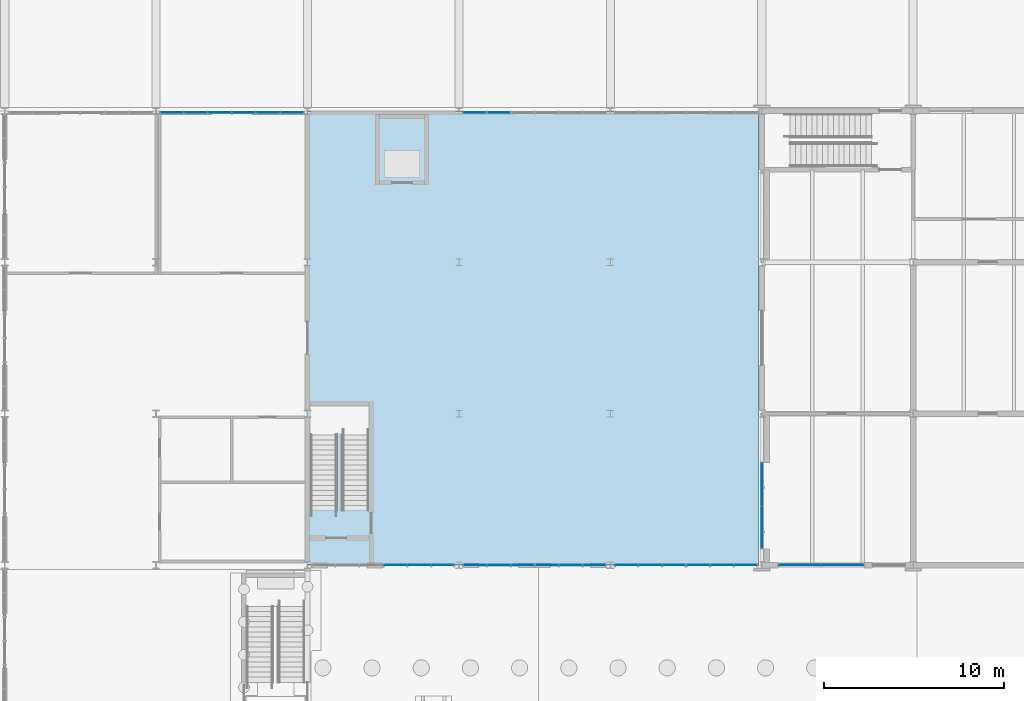
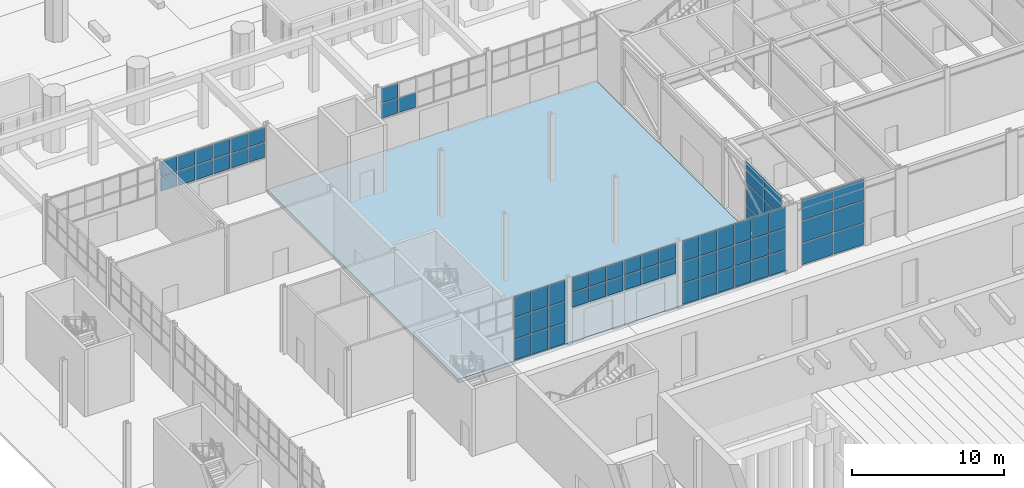
# One storey, part 51 of 127: 66 plates, 1 slab, 9 elements without a shape of their own.
"""IFC4 building model written with IfcOpenShell, lengths in metres."""

from ifc_helpers import new_model, si_unit, direction, frame, origin, origin_2d, place, context, subcontext, project, spatial, polyline, rectangle, outline, extrude, material, layer, layer_set, type_object, element, aggregate, save


model = new_model("IFC4")

# Units and contexts
model_context = context("Model", 3, precision=1e-05, world=origin(), true_north=direction((0.0, 1.0)))
body_context = subcontext(model_context, "Body", "Model", "MODEL_VIEW")
ifc_project = project(units=[si_unit("LENGTHUNIT", "METRE"), si_unit("AREAUNIT", "SQUARE_METRE"), si_unit("VOLUMEUNIT", "CUBIC_METRE"), si_unit("PLANEANGLEUNIT", "RADIAN"), si_unit("MASSUNIT", "GRAM", prefix="KILO")], contexts=[model_context])

# Site, building, storey
site_placement = place(None, origin())
site = spatial("IfcSite", under=ifc_project, at=site_placement, CompositionType="ELEMENT")
building_placement = place(site_placement, origin())
building = spatial("IfcBuilding", under=site, at=building_placement, Name="Ljudholm Concert House", CompositionType="ELEMENT")
storey_placement = place(building_placement, origin())
storey = spatial("IfcBuildingStorey", under=building, at=storey_placement, Name="L00", CompositionType="ELEMENT", Elevation=0.0)

# Curtain wall, plates
ifc_material_1 = material(Name="Aluminium curtain wall with impact-rated laminated glass", Category="aluminium")
curtain_wall_type_1 = type_object("IfcCurtainWallType", Name="CURTAIN WALL 2400", PredefinedType="NOTDEFINED", material=ifc_material_1)
curtain_wall_1_placement = place(storey_placement, origin())
curtain_wall_1 = element("IfcCurtainWall", 1, at=curtain_wall_1_placement, inside=storey, type_object=curtain_wall_type_1, Name="Curtain wall", PredefinedType="NOTDEFINED")
ifc_material_2 = material(Name="Impact-rated laminated glass", Category="glass")
ifc_layer_1 = layer(ifc_material_2, 0.028076171875)
ifc_layer_set_1 = layer_set([ifc_layer_1], Name="Impact-rated laminated glass")
plate_type = type_object("IfcPlateType", Name="CURTAIN PANEL 28", PredefinedType="CURTAIN_PANEL", material=ifc_layer_set_1)
plate_1_placement = place(storey_placement, frame((54.39990234375, 106.9150390625, 0.06005859375), z_axis=(0.0, 0.0, 1.0), x_axis=(0.0, 1.0, 0.0)))
plate_1 = element("IfcPlate", 2, at=plate_1_placement, type_object=plate_type, Name="Curtain wall panel", PredefinedType="CURTAIN_PANEL", context=body_context, shape_type="SweptSolid", body=[
    extrude(rectangle(XDim=2.31005859375, YDim=0.028076171875, at=origin_2d()), origin(), (0.0, 0.0, 1.0), 1.7099609375),
])
plate_2_placement = place(storey_placement, frame((54.39990234375, 106.9150390625, 1.830078125), z_axis=(0.0, 0.0, 1.0), x_axis=(0.0, 1.0, 0.0)))
plate_2 = element("IfcPlate", 3, at=plate_2_placement, type_object=plate_type, Name="Curtain wall panel", PredefinedType="CURTAIN_PANEL", context=body_context, shape_type="SweptSolid", body=[
    extrude(rectangle(XDim=2.31005859375, YDim=0.028076171875, at=origin_2d()), origin(), (0.0, 0.0, 1.0), 1.739990234375),
])
plate_3_placement = place(storey_placement, frame((54.39990234375, 106.9150390625, 3.630126953125), z_axis=(0.0, 0.0, 1.0), x_axis=(0.0, 1.0, 0.0)))
plate_3 = element("IfcPlate", 4, at=plate_3_placement, type_object=plate_type, Name="Curtain wall panel", PredefinedType="CURTAIN_PANEL", context=body_context, shape_type="SweptSolid", body=[
    extrude(rectangle(XDim=2.31005859375, YDim=0.028076171875, at=origin_2d()), origin(), (0.0, 0.0, 1.0), 1.7099609375),
])
plate_4_placement = place(storey_placement, frame((54.39990234375, 109.284912109375, 0.06005859375), z_axis=(0.0, 0.0, 1.0), x_axis=(0.0, 1.0, 0.0)))
plate_4 = element("IfcPlate", 5, at=plate_4_placement, type_object=plate_type, Name="Curtain wall panel", PredefinedType="CURTAIN_PANEL", context=body_context, shape_type="SweptSolid", body=[
    extrude(rectangle(XDim=2.31005859375, YDim=0.028076171875, at=origin_2d()), origin(), (0.0, 0.0, 1.0), 1.7099609375),
])
plate_5_placement = place(storey_placement, frame((54.39990234375, 109.284912109375, 1.830078125), z_axis=(0.0, 0.0, 1.0), x_axis=(0.0, 1.0, 0.0)))
plate_5 = element("IfcPlate", 6, at=plate_5_placement, type_object=plate_type, Name="Curtain wall panel", PredefinedType="CURTAIN_PANEL", context=body_context, shape_type="SweptSolid", body=[
    extrude(rectangle(XDim=2.31005859375, YDim=0.028076171875, at=origin_2d()), origin(), (0.0, 0.0, 1.0), 1.739990234375),
])
plate_6_placement = place(storey_placement, frame((54.39990234375, 109.284912109375, 3.630126953125), z_axis=(0.0, 0.0, 1.0), x_axis=(0.0, 1.0, 0.0)))
plate_6 = element("IfcPlate", 7, at=plate_6_placement, type_object=plate_type, Name="Curtain wall panel", PredefinedType="CURTAIN_PANEL", context=body_context, shape_type="SweptSolid", body=[
    extrude(rectangle(XDim=2.31005859375, YDim=0.028076171875, at=origin_2d()), origin(), (0.0, 0.0, 1.0), 1.7099609375),
])
aggregate(curtain_wall_1, [plate_1, plate_2, plate_3, plate_4, plate_5, plate_6])

curtain_wall_2_placement = place(storey_placement, origin())
curtain_wall_2 = element("IfcCurtainWall", 8, at=curtain_wall_2_placement, inside=storey, type_object=curtain_wall_type_1, Name="Curtain wall", PredefinedType="NOTDEFINED")
plate_7_placement = place(storey_placement, frame((56.514892578125, 104.800048828125, 0.06005859375), z_axis=(0.0, 0.0, 1.0), x_axis=(1.0, 0.0, 0.0)))
plate_7 = element("IfcPlate", 9, at=plate_7_placement, type_object=plate_type, Name="Curtain wall panel", PredefinedType="CURTAIN_PANEL", context=body_context, shape_type="SweptSolid", body=[
    extrude(rectangle(XDim=2.31005859375, YDim=0.028076171875, at=origin_2d()), origin(), (0.0, 0.0, 1.0), 1.7099609375),
])
plate_8_placement = place(storey_placement, frame((56.514892578125, 104.800048828125, 1.830078125), z_axis=(0.0, 0.0, 1.0), x_axis=(1.0, 0.0, 0.0)))
plate_8 = element("IfcPlate", 10, at=plate_8_placement, type_object=plate_type, Name="Curtain wall panel", PredefinedType="CURTAIN_PANEL", context=body_context, shape_type="SweptSolid", body=[
    extrude(rectangle(XDim=2.31005859375, YDim=0.028076171875, at=origin_2d()), origin(), (0.0, 0.0, 1.0), 1.739990234375),
])
plate_9_placement = place(storey_placement, frame((56.514892578125, 104.800048828125, 3.630126953125), z_axis=(0.0, 0.0, 1.0), x_axis=(1.0, 0.0, 0.0)))
plate_9 = element("IfcPlate", 11, at=plate_9_placement, type_object=plate_type, Name="Curtain wall panel", PredefinedType="CURTAIN_PANEL", context=body_context, shape_type="SweptSolid", body=[
    extrude(rectangle(XDim=2.31005859375, YDim=0.028076171875, at=origin_2d()), origin(), (0.0, 0.0, 1.0), 1.7099609375),
])
plate_10_placement = place(storey_placement, frame((58.885009765625, 104.800048828125, 0.06005859375), z_axis=(0.0, 0.0, 1.0), x_axis=(1.0, 0.0, 0.0)))
plate_10 = element("IfcPlate", 12, at=plate_10_placement, type_object=plate_type, Name="Curtain wall panel", PredefinedType="CURTAIN_PANEL", context=body_context, shape_type="SweptSolid", body=[
    extrude(rectangle(XDim=2.31005859375, YDim=0.028076171875, at=origin_2d()), origin(), (0.0, 0.0, 1.0), 1.7099609375),
])
plate_11_placement = place(storey_placement, frame((58.885009765625, 104.800048828125, 1.830078125), z_axis=(0.0, 0.0, 1.0), x_axis=(1.0, 0.0, 0.0)))
plate_11 = element("IfcPlate", 13, at=plate_11_placement, type_object=plate_type, Name="Curtain wall panel", PredefinedType="CURTAIN_PANEL", context=body_context, shape_type="SweptSolid", body=[
    extrude(rectangle(XDim=2.31005859375, YDim=0.028076171875, at=origin_2d()), origin(), (0.0, 0.0, 1.0), 1.739990234375),
])
plate_12_placement = place(storey_placement, frame((58.885009765625, 104.800048828125, 3.630126953125), z_axis=(0.0, 0.0, 1.0), x_axis=(1.0, 0.0, 0.0)))
plate_12 = element("IfcPlate", 14, at=plate_12_placement, type_object=plate_type, Name="Curtain wall panel", PredefinedType="CURTAIN_PANEL", context=body_context, shape_type="SweptSolid", body=[
    extrude(rectangle(XDim=2.31005859375, YDim=0.028076171875, at=origin_2d()), origin(), (0.0, 0.0, 1.0), 1.7099609375),
])
aggregate(curtain_wall_2, [plate_7, plate_8, plate_9, plate_10, plate_11, plate_12])

ifc_material_3 = material(Name="Aluminium curtain wall with impact-rated laminated glass", Category="aluminium")
curtain_wall_type_2 = type_object("IfcCurtainWallType", Name="CURTAIN WALL 1400", PredefinedType="NOTDEFINED", material=ifc_material_3)
curtain_wall_3_placement = place(storey_placement, origin())
curtain_wall_3 = element("IfcCurtainWall", 15, at=curtain_wall_3_placement, inside=storey, type_object=curtain_wall_type_2, Name="North curtain wall", PredefinedType="NOTDEFINED")
plate_13_placement = place(storey_placement, frame((21.670654296875, 129.89990234375, 2.760009765625), z_axis=(0.0, 0.0, 1.0), x_axis=(1.0, 0.0, 0.0)))
plate_13 = element("IfcPlate", 16, at=plate_13_placement, type_object=plate_type, Name="Curtain wall panel", PredefinedType="CURTAIN_PANEL", context=body_context, shape_type="SweptSolid", body=[
    extrude(rectangle(XDim=1.247802734375, YDim=0.028076171875, at=origin_2d()), origin(), (0.0, 0.0, 1.0), 1.169921875),
])
plate_14_placement = place(storey_placement, frame((21.670654296875, 129.89990234375, 3.989990234375), z_axis=(0.0, 0.0, 1.0), x_axis=(1.0, 0.0, 0.0)))
plate_14 = element("IfcPlate", 17, at=plate_14_placement, type_object=plate_type, Name="Curtain wall panel", PredefinedType="CURTAIN_PANEL", context=body_context, shape_type="SweptSolid", body=[
    extrude(rectangle(XDim=1.247802734375, YDim=0.028076171875, at=origin_2d()), origin(), (0.0, 0.0, 1.0), 1.169921875),
])
plate_15_placement = place(storey_placement, frame((22.993408203125, 129.89990234375, 2.760009765625), z_axis=(0.0, 0.0, 1.0), x_axis=(1.0, 0.0, 0.0)))
plate_15 = element("IfcPlate", 18, at=plate_15_placement, type_object=plate_type, Name="Curtain wall panel", PredefinedType="CURTAIN_PANEL", context=body_context, shape_type="SweptSolid", body=[
    extrude(rectangle(XDim=1.27783203125, YDim=0.028076171875, at=origin_2d()), origin(), (0.0, 0.0, 1.0), 1.169921875),
])
plate_16_placement = place(storey_placement, frame((22.993408203125, 129.89990234375, 3.989990234375), z_axis=(0.0, 0.0, 1.0), x_axis=(1.0, 0.0, 0.0)))
plate_16 = element("IfcPlate", 19, at=plate_16_placement, type_object=plate_type, Name="Curtain wall panel", PredefinedType="CURTAIN_PANEL", context=body_context, shape_type="SweptSolid", body=[
    extrude(rectangle(XDim=1.27783203125, YDim=0.028076171875, at=origin_2d()), origin(), (0.0, 0.0, 1.0), 1.169921875),
])
plate_17_placement = place(storey_placement, frame((24.3310546875, 129.89990234375, 2.760009765625), z_axis=(0.0, 0.0, 1.0), x_axis=(1.0, 0.0, 0.0)))
plate_17 = element("IfcPlate", 20, at=plate_17_placement, type_object=plate_type, Name="Curtain wall panel", PredefinedType="CURTAIN_PANEL", context=body_context, shape_type="SweptSolid", body=[
    extrude(rectangle(XDim=1.27783203125, YDim=0.028076171875, at=origin_2d()), origin(), (0.0, 0.0, 1.0), 1.169921875),
])
plate_18_placement = place(storey_placement, frame((24.3310546875, 129.89990234375, 3.989990234375), z_axis=(0.0, 0.0, 1.0), x_axis=(1.0, 0.0, 0.0)))
plate_18 = element("IfcPlate", 21, at=plate_18_placement, type_object=plate_type, Name="Curtain wall panel", PredefinedType="CURTAIN_PANEL", context=body_context, shape_type="SweptSolid", body=[
    extrude(rectangle(XDim=1.27783203125, YDim=0.028076171875, at=origin_2d()), origin(), (0.0, 0.0, 1.0), 1.169921875),
])
plate_19_placement = place(storey_placement, frame((25.6689453125, 129.89990234375, 2.760009765625), z_axis=(0.0, 0.0, 1.0), x_axis=(1.0, 0.0, 0.0)))
plate_19 = element("IfcPlate", 22, at=plate_19_placement, type_object=plate_type, Name="Curtain wall panel", PredefinedType="CURTAIN_PANEL", context=body_context, shape_type="SweptSolid", body=[
    extrude(rectangle(XDim=1.27783203125, YDim=0.028076171875, at=origin_2d()), origin(), (0.0, 0.0, 1.0), 1.169921875),
])
plate_20_placement = place(storey_placement, frame((25.6689453125, 129.89990234375, 3.989990234375), z_axis=(0.0, 0.0, 1.0), x_axis=(1.0, 0.0, 0.0)))
plate_20 = element("IfcPlate", 23, at=plate_20_placement, type_object=plate_type, Name="Curtain wall panel", PredefinedType="CURTAIN_PANEL", context=body_context, shape_type="SweptSolid", body=[
    extrude(rectangle(XDim=1.27783203125, YDim=0.028076171875, at=origin_2d()), origin(), (0.0, 0.0, 1.0), 1.169921875),
])
plate_21_placement = place(storey_placement, frame((27.006591796875, 129.89990234375, 2.760009765625), z_axis=(0.0, 0.0, 1.0), x_axis=(1.0, 0.0, 0.0)))
plate_21 = element("IfcPlate", 24, at=plate_21_placement, type_object=plate_type, Name="Curtain wall panel", PredefinedType="CURTAIN_PANEL", context=body_context, shape_type="SweptSolid", body=[
    extrude(rectangle(XDim=1.27783203125, YDim=0.028076171875, at=origin_2d()), origin(), (0.0, 0.0, 1.0), 1.169921875),
])
plate_22_placement = place(storey_placement, frame((27.006591796875, 129.89990234375, 3.989990234375), z_axis=(0.0, 0.0, 1.0), x_axis=(1.0, 0.0, 0.0)))
plate_22 = element("IfcPlate", 25, at=plate_22_placement, type_object=plate_type, Name="Curtain wall panel", PredefinedType="CURTAIN_PANEL", context=body_context, shape_type="SweptSolid", body=[
    extrude(rectangle(XDim=1.27783203125, YDim=0.028076171875, at=origin_2d()), origin(), (0.0, 0.0, 1.0), 1.169921875),
])
plate_23_placement = place(storey_placement, frame((28.329345703125, 129.89990234375, 2.760009765625), z_axis=(0.0, 0.0, 1.0), x_axis=(1.0, 0.0, 0.0)))
plate_23 = element("IfcPlate", 26, at=plate_23_placement, type_object=plate_type, Name="Curtain wall panel", PredefinedType="CURTAIN_PANEL", context=body_context, shape_type="SweptSolid", body=[
    extrude(rectangle(XDim=1.247802734375, YDim=0.028076171875, at=origin_2d()), origin(), (0.0, 0.0, 1.0), 1.169921875),
])
plate_24_placement = place(storey_placement, frame((28.329345703125, 129.89990234375, 3.989990234375), z_axis=(0.0, 0.0, 1.0), x_axis=(1.0, 0.0, 0.0)))
plate_24 = element("IfcPlate", 27, at=plate_24_placement, type_object=plate_type, Name="Curtain wall panel", PredefinedType="CURTAIN_PANEL", context=body_context, shape_type="SweptSolid", body=[
    extrude(rectangle(XDim=1.247802734375, YDim=0.028076171875, at=origin_2d()), origin(), (0.0, 0.0, 1.0), 1.169921875),
])
aggregate(curtain_wall_3, [plate_13, plate_14, plate_15, plate_16, plate_17, plate_18, plate_19, plate_20, plate_21, plate_22, plate_23, plate_24])

curtain_wall_4_placement = place(storey_placement, origin())
curtain_wall_4 = element("IfcCurtainWall", 28, at=curtain_wall_4_placement, inside=storey, type_object=curtain_wall_type_2, Name="North curtain wall", PredefinedType="NOTDEFINED")
plate_25_placement = place(storey_placement, frame((38.473388671875, 129.89990234375, 2.760009765625), z_axis=(0.0, 0.0, 1.0), x_axis=(1.0, 0.0, 0.0)))
plate_25 = element("IfcPlate", 29, at=plate_25_placement, type_object=plate_type, Name="Curtain wall panel", PredefinedType="CURTAIN_PANEL", context=body_context, shape_type="SweptSolid", body=[
    extrude(rectangle(XDim=1.24658203125, YDim=0.028076171875, at=origin_2d()), origin(), (0.0, 0.0, 1.0), 1.169921875),
])
plate_26_placement = place(storey_placement, frame((38.473388671875, 129.89990234375, 3.989990234375), z_axis=(0.0, 0.0, 1.0), x_axis=(1.0, 0.0, 0.0)))
plate_26 = element("IfcPlate", 30, at=plate_26_placement, type_object=plate_type, Name="Curtain wall panel", PredefinedType="CURTAIN_PANEL", context=body_context, shape_type="SweptSolid", body=[
    extrude(rectangle(XDim=1.24658203125, YDim=0.028076171875, at=origin_2d()), origin(), (0.0, 0.0, 1.0), 1.169921875),
])
plate_27_placement = place(storey_placement, frame((39.794921875, 129.89990234375, 2.760009765625), z_axis=(0.0, 0.0, 1.0), x_axis=(1.0, 0.0, 0.0)))
plate_27 = element("IfcPlate", 31, at=plate_27_placement, type_object=plate_type, Name="Curtain wall panel", PredefinedType="CURTAIN_PANEL", context=body_context, shape_type="SweptSolid", body=[
    extrude(rectangle(XDim=1.276611328125, YDim=0.028076171875, at=origin_2d()), origin(), (0.0, 0.0, 1.0), 1.169921875),
])
aggregate(curtain_wall_4, [plate_25, plate_26, plate_27])

curtain_wall_5_placement = place(storey_placement, origin())
curtain_wall_5 = element("IfcCurtainWall", 32, at=curtain_wall_5_placement, inside=storey, type_object=curtain_wall_type_2, Name="Winter garden curtain wall", PredefinedType="NOTDEFINED")
plate_28_placement = place(storey_placement, frame((34.078369140625, 104.800048828125, 0.06005859375), z_axis=(0.0, 0.0, 1.0), x_axis=(1.0, 0.0, 0.0)))
plate_28 = element("IfcPlate", 33, at=plate_28_placement, type_object=plate_type, Name="Curtain wall panel", PredefinedType="CURTAIN_PANEL", context=body_context, shape_type="SweptSolid", body=[
    extrude(rectangle(XDim=1.236572265625, YDim=0.028076171875, at=origin_2d()), origin(), (0.0, 0.0, 1.0), 1.64990234375),
])
plate_29_placement = place(storey_placement, frame((34.078369140625, 104.800048828125, 1.77001953125), z_axis=(0.0, 0.0, 1.0), x_axis=(1.0, 0.0, 0.0)))
plate_29 = element("IfcPlate", 34, at=plate_29_placement, type_object=plate_type, Name="Curtain wall panel", PredefinedType="CURTAIN_PANEL", context=body_context, shape_type="SweptSolid", body=[
    extrude(rectangle(XDim=1.236572265625, YDim=0.028076171875, at=origin_2d()), origin(), (0.0, 0.0, 1.0), 1.679931640625),
])
plate_30_placement = place(storey_placement, frame((34.078369140625, 104.800048828125, 3.510009765625), z_axis=(0.0, 0.0, 1.0), x_axis=(1.0, 0.0, 0.0)))
plate_30 = element("IfcPlate", 35, at=plate_30_placement, type_object=plate_type, Name="Curtain wall panel", PredefinedType="CURTAIN_PANEL", context=body_context, shape_type="SweptSolid", body=[
    extrude(rectangle(XDim=1.236572265625, YDim=0.028076171875, at=origin_2d()), origin(), (0.0, 0.0, 1.0), 1.64990234375),
])
plate_31_placement = place(storey_placement, frame((35.389892578125, 104.800048828125, 0.06005859375), z_axis=(0.0, 0.0, 1.0), x_axis=(1.0, 0.0, 0.0)))
plate_31 = element("IfcPlate", 36, at=plate_31_placement, type_object=plate_type, Name="Curtain wall panel", PredefinedType="CURTAIN_PANEL", context=body_context, shape_type="SweptSolid", body=[
    extrude(rectangle(XDim=1.2666015625, YDim=0.028076171875, at=origin_2d()), origin(), (0.0, 0.0, 1.0), 1.64990234375),
])
plate_32_placement = place(storey_placement, frame((35.389892578125, 104.800048828125, 1.77001953125), z_axis=(0.0, 0.0, 1.0), x_axis=(1.0, 0.0, 0.0)))
plate_32 = element("IfcPlate", 37, at=plate_32_placement, type_object=plate_type, Name="Curtain wall panel", PredefinedType="CURTAIN_PANEL", context=body_context, shape_type="SweptSolid", body=[
    extrude(rectangle(XDim=1.2666015625, YDim=0.028076171875, at=origin_2d()), origin(), (0.0, 0.0, 1.0), 1.679931640625),
])
plate_33_placement = place(storey_placement, frame((35.389892578125, 104.800048828125, 3.510009765625), z_axis=(0.0, 0.0, 1.0), x_axis=(1.0, 0.0, 0.0)))
plate_33 = element("IfcPlate", 38, at=plate_33_placement, type_object=plate_type, Name="Curtain wall panel", PredefinedType="CURTAIN_PANEL", context=body_context, shape_type="SweptSolid", body=[
    extrude(rectangle(XDim=1.2666015625, YDim=0.028076171875, at=origin_2d()), origin(), (0.0, 0.0, 1.0), 1.64990234375),
])
plate_34_placement = place(storey_placement, frame((36.70166015625, 104.800048828125, 0.06005859375), z_axis=(0.0, 0.0, 1.0), x_axis=(1.0, 0.0, 0.0)))
plate_34 = element("IfcPlate", 39, at=plate_34_placement, type_object=plate_type, Name="Curtain wall panel", PredefinedType="CURTAIN_PANEL", context=body_context, shape_type="SweptSolid", body=[
    extrude(rectangle(XDim=1.236572265625, YDim=0.028076171875, at=origin_2d()), origin(), (0.0, 0.0, 1.0), 1.64990234375),
])
plate_35_placement = place(storey_placement, frame((36.70166015625, 104.800048828125, 1.77001953125), z_axis=(0.0, 0.0, 1.0), x_axis=(1.0, 0.0, 0.0)))
plate_35 = element("IfcPlate", 40, at=plate_35_placement, type_object=plate_type, Name="Curtain wall panel", PredefinedType="CURTAIN_PANEL", context=body_context, shape_type="SweptSolid", body=[
    extrude(rectangle(XDim=1.236572265625, YDim=0.028076171875, at=origin_2d()), origin(), (0.0, 0.0, 1.0), 1.679931640625),
])
plate_36_placement = place(storey_placement, frame((36.70166015625, 104.800048828125, 3.510009765625), z_axis=(0.0, 0.0, 1.0), x_axis=(1.0, 0.0, 0.0)))
plate_36 = element("IfcPlate", 41, at=plate_36_placement, type_object=plate_type, Name="Curtain wall panel", PredefinedType="CURTAIN_PANEL", context=body_context, shape_type="SweptSolid", body=[
    extrude(rectangle(XDim=1.236572265625, YDim=0.028076171875, at=origin_2d()), origin(), (0.0, 0.0, 1.0), 1.64990234375),
])
aggregate(curtain_wall_5, [plate_28, plate_29, plate_30, plate_31, plate_32, plate_33, plate_34, plate_35, plate_36])

curtain_wall_6_placement = place(storey_placement, origin())
curtain_wall_6 = element("IfcCurtainWall", 42, at=curtain_wall_6_placement, inside=storey, type_object=curtain_wall_type_2, Name="Winter garden curtain wall", PredefinedType="NOTDEFINED")
plate_37_placement = place(storey_placement, frame((38.498291015625, 104.800048828125, 2.760009765625), z_axis=(0.0, 0.0, 1.0), x_axis=(1.0, 0.0, 0.0)))
plate_37 = element("IfcPlate", 43, at=plate_37_placement, type_object=plate_type, Name="Curtain wall panel", PredefinedType="CURTAIN_PANEL", context=body_context, shape_type="SweptSolid", body=[
    extrude(rectangle(XDim=1.236572265625, YDim=0.028076171875, at=origin_2d()), origin(), (0.0, 0.0, 1.0), 1.169921875),
])
plate_38_placement = place(storey_placement, frame((38.498291015625, 104.800048828125, 3.989990234375), z_axis=(0.0, 0.0, 1.0), x_axis=(1.0, 0.0, 0.0)))
plate_38 = element("IfcPlate", 44, at=plate_38_placement, type_object=plate_type, Name="Curtain wall panel", PredefinedType="CURTAIN_PANEL", context=body_context, shape_type="SweptSolid", body=[
    extrude(rectangle(XDim=1.236572265625, YDim=0.028076171875, at=origin_2d()), origin(), (0.0, 0.0, 1.0), 1.169921875),
])
plate_39_placement = place(storey_placement, frame((39.81005859375, 104.800048828125, 2.760009765625), z_axis=(0.0, 0.0, 1.0), x_axis=(1.0, 0.0, 0.0)))
plate_39 = element("IfcPlate", 45, at=plate_39_placement, type_object=plate_type, Name="Curtain wall panel", PredefinedType="CURTAIN_PANEL", context=body_context, shape_type="SweptSolid", body=[
    extrude(rectangle(XDim=1.2666015625, YDim=0.028076171875, at=origin_2d()), origin(), (0.0, 0.0, 1.0), 1.169921875),
])
plate_40_placement = place(storey_placement, frame((39.81005859375, 104.800048828125, 3.989990234375), z_axis=(0.0, 0.0, 1.0), x_axis=(1.0, 0.0, 0.0)))
plate_40 = element("IfcPlate", 46, at=plate_40_placement, type_object=plate_type, Name="Curtain wall panel", PredefinedType="CURTAIN_PANEL", context=body_context, shape_type="SweptSolid", body=[
    extrude(rectangle(XDim=1.2666015625, YDim=0.028076171875, at=origin_2d()), origin(), (0.0, 0.0, 1.0), 1.169921875),
])
plate_41_placement = place(storey_placement, frame((41.12158203125, 104.800048828125, 2.760009765625), z_axis=(0.0, 0.0, 1.0), x_axis=(1.0, 0.0, 0.0)))
plate_41 = element("IfcPlate", 47, at=plate_41_placement, type_object=plate_type, Name="Curtain wall panel", PredefinedType="CURTAIN_PANEL", context=body_context, shape_type="SweptSolid", body=[
    extrude(rectangle(XDim=1.236572265625, YDim=0.028076171875, at=origin_2d()), origin(), (0.0, 0.0, 1.0), 1.169921875),
])
plate_42_placement = place(storey_placement, frame((41.12158203125, 104.800048828125, 3.989990234375), z_axis=(0.0, 0.0, 1.0), x_axis=(1.0, 0.0, 0.0)))
plate_42 = element("IfcPlate", 48, at=plate_42_placement, type_object=plate_type, Name="Curtain wall panel", PredefinedType="CURTAIN_PANEL", context=body_context, shape_type="SweptSolid", body=[
    extrude(rectangle(XDim=1.236572265625, YDim=0.028076171875, at=origin_2d()), origin(), (0.0, 0.0, 1.0), 1.169921875),
])
aggregate(curtain_wall_6, [plate_37, plate_38, plate_39, plate_40, plate_41, plate_42])

curtain_wall_7_placement = place(storey_placement, origin())
curtain_wall_7 = element("IfcCurtainWall", 49, at=curtain_wall_7_placement, inside=storey, type_object=curtain_wall_type_2, Name="Winter garden curtain wall", PredefinedType="NOTDEFINED")
plate_43_placement = place(storey_placement, frame((42.478271484375, 104.800048828125, 2.760009765625), z_axis=(0.0, 0.0, 1.0), x_axis=(1.0, 0.0, 0.0)))
plate_43 = element("IfcPlate", 50, at=plate_43_placement, type_object=plate_type, Name="Curtain wall panel", PredefinedType="CURTAIN_PANEL", context=body_context, shape_type="SweptSolid", body=[
    extrude(rectangle(XDim=1.236572265625, YDim=0.028076171875, at=origin_2d()), origin(), (0.0, 0.0, 1.0), 1.169921875),
])
plate_44_placement = place(storey_placement, frame((42.478271484375, 104.800048828125, 3.989990234375), z_axis=(0.0, 0.0, 1.0), x_axis=(1.0, 0.0, 0.0)))
plate_44 = element("IfcPlate", 51, at=plate_44_placement, type_object=plate_type, Name="Curtain wall panel", PredefinedType="CURTAIN_PANEL", context=body_context, shape_type="SweptSolid", body=[
    extrude(rectangle(XDim=1.236572265625, YDim=0.028076171875, at=origin_2d()), origin(), (0.0, 0.0, 1.0), 1.169921875),
])
plate_45_placement = place(storey_placement, frame((43.7900390625, 104.800048828125, 2.760009765625), z_axis=(0.0, 0.0, 1.0), x_axis=(1.0, 0.0, 0.0)))
plate_45 = element("IfcPlate", 52, at=plate_45_placement, type_object=plate_type, Name="Curtain wall panel", PredefinedType="CURTAIN_PANEL", context=body_context, shape_type="SweptSolid", body=[
    extrude(rectangle(XDim=1.2666015625, YDim=0.028076171875, at=origin_2d()), origin(), (0.0, 0.0, 1.0), 1.169921875),
])
plate_46_placement = place(storey_placement, frame((43.7900390625, 104.800048828125, 3.989990234375), z_axis=(0.0, 0.0, 1.0), x_axis=(1.0, 0.0, 0.0)))
plate_46 = element("IfcPlate", 53, at=plate_46_placement, type_object=plate_type, Name="Curtain wall panel", PredefinedType="CURTAIN_PANEL", context=body_context, shape_type="SweptSolid", body=[
    extrude(rectangle(XDim=1.2666015625, YDim=0.028076171875, at=origin_2d()), origin(), (0.0, 0.0, 1.0), 1.169921875),
])
plate_47_placement = place(storey_placement, frame((45.1015625, 104.800048828125, 2.760009765625), z_axis=(0.0, 0.0, 1.0), x_axis=(1.0, 0.0, 0.0)))
plate_47 = element("IfcPlate", 54, at=plate_47_placement, type_object=plate_type, Name="Curtain wall panel", PredefinedType="CURTAIN_PANEL", context=body_context, shape_type="SweptSolid", body=[
    extrude(rectangle(XDim=1.236572265625, YDim=0.028076171875, at=origin_2d()), origin(), (0.0, 0.0, 1.0), 1.169921875),
])
plate_48_placement = place(storey_placement, frame((45.1015625, 104.800048828125, 3.989990234375), z_axis=(0.0, 0.0, 1.0), x_axis=(1.0, 0.0, 0.0)))
plate_48 = element("IfcPlate", 55, at=plate_48_placement, type_object=plate_type, Name="Curtain wall panel", PredefinedType="CURTAIN_PANEL", context=body_context, shape_type="SweptSolid", body=[
    extrude(rectangle(XDim=1.236572265625, YDim=0.028076171875, at=origin_2d()), origin(), (0.0, 0.0, 1.0), 1.169921875),
])
aggregate(curtain_wall_7, [plate_43, plate_44, plate_45, plate_46, plate_47, plate_48])

curtain_wall_8_placement = place(storey_placement, origin())
curtain_wall_8 = element("IfcCurtainWall", 56, at=curtain_wall_8_placement, inside=storey, type_object=curtain_wall_type_2, Name="Winter garden curtain wall", PredefinedType="NOTDEFINED")
plate_49_placement = place(storey_placement, frame((46.8984375, 104.800048828125, 0.06005859375), z_axis=(0.0, 0.0, 1.0), x_axis=(1.0, 0.0, 0.0)))
plate_49 = element("IfcPlate", 57, at=plate_49_placement, type_object=plate_type, Name="Curtain wall panel", PredefinedType="CURTAIN_PANEL", context=body_context, shape_type="SweptSolid", body=[
    extrude(rectangle(XDim=1.236572265625, YDim=0.028076171875, at=origin_2d()), origin(), (0.0, 0.0, 1.0), 1.64990234375),
])
plate_50_placement = place(storey_placement, frame((46.8984375, 104.800048828125, 1.77001953125), z_axis=(0.0, 0.0, 1.0), x_axis=(1.0, 0.0, 0.0)))
plate_50 = element("IfcPlate", 58, at=plate_50_placement, type_object=plate_type, Name="Curtain wall panel", PredefinedType="CURTAIN_PANEL", context=body_context, shape_type="SweptSolid", body=[
    extrude(rectangle(XDim=1.236572265625, YDim=0.028076171875, at=origin_2d()), origin(), (0.0, 0.0, 1.0), 1.679931640625),
])
plate_51_placement = place(storey_placement, frame((46.8984375, 104.800048828125, 3.510009765625), z_axis=(0.0, 0.0, 1.0), x_axis=(1.0, 0.0, 0.0)))
plate_51 = element("IfcPlate", 59, at=plate_51_placement, type_object=plate_type, Name="Curtain wall panel", PredefinedType="CURTAIN_PANEL", context=body_context, shape_type="SweptSolid", body=[
    extrude(rectangle(XDim=1.236572265625, YDim=0.028076171875, at=origin_2d()), origin(), (0.0, 0.0, 1.0), 1.64990234375),
])
plate_52_placement = place(storey_placement, frame((48.2099609375, 104.800048828125, 0.06005859375), z_axis=(0.0, 0.0, 1.0), x_axis=(1.0, 0.0, 0.0)))
plate_52 = element("IfcPlate", 60, at=plate_52_placement, type_object=plate_type, Name="Curtain wall panel", PredefinedType="CURTAIN_PANEL", context=body_context, shape_type="SweptSolid", body=[
    extrude(rectangle(XDim=1.2666015625, YDim=0.028076171875, at=origin_2d()), origin(), (0.0, 0.0, 1.0), 1.64990234375),
])
plate_53_placement = place(storey_placement, frame((48.2099609375, 104.800048828125, 1.77001953125), z_axis=(0.0, 0.0, 1.0), x_axis=(1.0, 0.0, 0.0)))
plate_53 = element("IfcPlate", 61, at=plate_53_placement, type_object=plate_type, Name="Curtain wall panel", PredefinedType="CURTAIN_PANEL", context=body_context, shape_type="SweptSolid", body=[
    extrude(rectangle(XDim=1.2666015625, YDim=0.028076171875, at=origin_2d()), origin(), (0.0, 0.0, 1.0), 1.679931640625),
])
plate_54_placement = place(storey_placement, frame((48.2099609375, 104.800048828125, 3.510009765625), z_axis=(0.0, 0.0, 1.0), x_axis=(1.0, 0.0, 0.0)))
plate_54 = element("IfcPlate", 62, at=plate_54_placement, type_object=plate_type, Name="Curtain wall panel", PredefinedType="CURTAIN_PANEL", context=body_context, shape_type="SweptSolid", body=[
    extrude(rectangle(XDim=1.2666015625, YDim=0.028076171875, at=origin_2d()), origin(), (0.0, 0.0, 1.0), 1.64990234375),
])
plate_55_placement = place(storey_placement, frame((49.521728515625, 104.800048828125, 0.06005859375), z_axis=(0.0, 0.0, 1.0), x_axis=(1.0, 0.0, 0.0)))
plate_55 = element("IfcPlate", 63, at=plate_55_placement, type_object=plate_type, Name="Curtain wall panel", PredefinedType="CURTAIN_PANEL", context=body_context, shape_type="SweptSolid", body=[
    extrude(rectangle(XDim=1.236572265625, YDim=0.028076171875, at=origin_2d()), origin(), (0.0, 0.0, 1.0), 1.64990234375),
])
plate_56_placement = place(storey_placement, frame((49.521728515625, 104.800048828125, 1.77001953125), z_axis=(0.0, 0.0, 1.0), x_axis=(1.0, 0.0, 0.0)))
plate_56 = element("IfcPlate", 64, at=plate_56_placement, type_object=plate_type, Name="Curtain wall panel", PredefinedType="CURTAIN_PANEL", context=body_context, shape_type="SweptSolid", body=[
    extrude(rectangle(XDim=1.236572265625, YDim=0.028076171875, at=origin_2d()), origin(), (0.0, 0.0, 1.0), 1.679931640625),
])
plate_57_placement = place(storey_placement, frame((49.521728515625, 104.800048828125, 3.510009765625), z_axis=(0.0, 0.0, 1.0), x_axis=(1.0, 0.0, 0.0)))
plate_57 = element("IfcPlate", 65, at=plate_57_placement, type_object=plate_type, Name="Curtain wall panel", PredefinedType="CURTAIN_PANEL", context=body_context, shape_type="SweptSolid", body=[
    extrude(rectangle(XDim=1.236572265625, YDim=0.028076171875, at=origin_2d()), origin(), (0.0, 0.0, 1.0), 1.64990234375),
])
aggregate(curtain_wall_8, [plate_49, plate_50, plate_51, plate_52, plate_53, plate_54, plate_55, plate_56, plate_57])

curtain_wall_9_placement = place(storey_placement, origin())
curtain_wall_9 = element("IfcCurtainWall", 66, at=curtain_wall_9_placement, inside=storey, type_object=curtain_wall_type_2, Name="Winter garden curtain wall", PredefinedType="NOTDEFINED")
plate_58_placement = place(storey_placement, frame((50.87841796875, 104.800048828125, 0.06005859375), z_axis=(0.0, 0.0, 1.0), x_axis=(1.0, 0.0, 0.0)))
plate_58 = element("IfcPlate", 67, at=plate_58_placement, type_object=plate_type, Name="Curtain wall panel", PredefinedType="CURTAIN_PANEL", context=body_context, shape_type="SweptSolid", body=[
    extrude(rectangle(XDim=1.236572265625, YDim=0.028076171875, at=origin_2d()), origin(), (0.0, 0.0, 1.0), 1.64990234375),
])
plate_59_placement = place(storey_placement, frame((50.87841796875, 104.800048828125, 1.77001953125), z_axis=(0.0, 0.0, 1.0), x_axis=(1.0, 0.0, 0.0)))
plate_59 = element("IfcPlate", 68, at=plate_59_placement, type_object=plate_type, Name="Curtain wall panel", PredefinedType="CURTAIN_PANEL", context=body_context, shape_type="SweptSolid", body=[
    extrude(rectangle(XDim=1.236572265625, YDim=0.028076171875, at=origin_2d()), origin(), (0.0, 0.0, 1.0), 1.679931640625),
])
plate_60_placement = place(storey_placement, frame((50.87841796875, 104.800048828125, 3.510009765625), z_axis=(0.0, 0.0, 1.0), x_axis=(1.0, 0.0, 0.0)))
plate_60 = element("IfcPlate", 69, at=plate_60_placement, type_object=plate_type, Name="Curtain wall panel", PredefinedType="CURTAIN_PANEL", context=body_context, shape_type="SweptSolid", body=[
    extrude(rectangle(XDim=1.236572265625, YDim=0.028076171875, at=origin_2d()), origin(), (0.0, 0.0, 1.0), 1.64990234375),
])
plate_61_placement = place(storey_placement, frame((52.18994140625, 104.800048828125, 0.06005859375), z_axis=(0.0, 0.0, 1.0), x_axis=(1.0, 0.0, 0.0)))
plate_61 = element("IfcPlate", 70, at=plate_61_placement, type_object=plate_type, Name="Curtain wall panel", PredefinedType="CURTAIN_PANEL", context=body_context, shape_type="SweptSolid", body=[
    extrude(rectangle(XDim=1.2666015625, YDim=0.028076171875, at=origin_2d()), origin(), (0.0, 0.0, 1.0), 1.64990234375),
])
plate_62_placement = place(storey_placement, frame((52.18994140625, 104.800048828125, 1.77001953125), z_axis=(0.0, 0.0, 1.0), x_axis=(1.0, 0.0, 0.0)))
plate_62 = element("IfcPlate", 71, at=plate_62_placement, type_object=plate_type, Name="Curtain wall panel", PredefinedType="CURTAIN_PANEL", context=body_context, shape_type="SweptSolid", body=[
    extrude(rectangle(XDim=1.2666015625, YDim=0.028076171875, at=origin_2d()), origin(), (0.0, 0.0, 1.0), 1.679931640625),
])
plate_63_placement = place(storey_placement, frame((52.18994140625, 104.800048828125, 3.510009765625), z_axis=(0.0, 0.0, 1.0), x_axis=(1.0, 0.0, 0.0)))
plate_63 = element("IfcPlate", 72, at=plate_63_placement, type_object=plate_type, Name="Curtain wall panel", PredefinedType="CURTAIN_PANEL", context=body_context, shape_type="SweptSolid", body=[
    extrude(rectangle(XDim=1.2666015625, YDim=0.028076171875, at=origin_2d()), origin(), (0.0, 0.0, 1.0), 1.64990234375),
])
plate_64_placement = place(storey_placement, frame((53.501708984375, 104.800048828125, 0.06005859375), z_axis=(0.0, 0.0, 1.0), x_axis=(1.0, 0.0, 0.0)))
plate_64 = element("IfcPlate", 73, at=plate_64_placement, type_object=plate_type, Name="Curtain wall panel", PredefinedType="CURTAIN_PANEL", context=body_context, shape_type="SweptSolid", body=[
    extrude(rectangle(XDim=1.236572265625, YDim=0.028076171875, at=origin_2d()), origin(), (0.0, 0.0, 1.0), 1.64990234375),
])
plate_65_placement = place(storey_placement, frame((53.501708984375, 104.800048828125, 1.77001953125), z_axis=(0.0, 0.0, 1.0), x_axis=(1.0, 0.0, 0.0)))
plate_65 = element("IfcPlate", 74, at=plate_65_placement, type_object=plate_type, Name="Curtain wall panel", PredefinedType="CURTAIN_PANEL", context=body_context, shape_type="SweptSolid", body=[
    extrude(rectangle(XDim=1.236572265625, YDim=0.028076171875, at=origin_2d()), origin(), (0.0, 0.0, 1.0), 1.679931640625),
])
plate_66_placement = place(storey_placement, frame((53.501708984375, 104.800048828125, 3.510009765625), z_axis=(0.0, 0.0, 1.0), x_axis=(1.0, 0.0, 0.0)))
plate_66 = element("IfcPlate", 75, at=plate_66_placement, type_object=plate_type, Name="Curtain wall panel", PredefinedType="CURTAIN_PANEL", context=body_context, shape_type="SweptSolid", body=[
    extrude(rectangle(XDim=1.236572265625, YDim=0.028076171875, at=origin_2d()), origin(), (0.0, 0.0, 1.0), 1.64990234375),
])
aggregate(curtain_wall_9, [plate_58, plate_59, plate_60, plate_61, plate_62, plate_63, plate_64, plate_65, plate_66])

# Slab
ifc_material_4 = material(Name="Concrete 5,000 psi", Category="concrete")
ifc_layer_2 = layer(ifc_material_4, 0.300048828125)
ifc_layer_set_2 = layer_set([ifc_layer_2], Name="Concrete 5,000 psi")
slab_type = type_object("IfcSlabType", Name="RC FLOOR SLAB 300", PredefinedType="FLOOR", material=ifc_layer_set_2)
slab_placement = place(storey_placement, frame((0.0, 0.0, -0.300048828125)))
element("IfcSlab", 76, at=slab_placement, inside=storey, type_object=slab_type, Name="Floor slab", PredefinedType="FLOOR", context=body_context, shape_type="SweptSolid", body=[
    extrude(outline(polyline([(54.25, 104.800048828125), (54.25, 130.0), (29.199951171875, 130.0), (29.199951171875, 104.800048828125), (54.25, 104.800048828125)])), origin(), (0.0, 0.0, 1.0), 0.300048828125),
])

save(model, "model.ifc")
